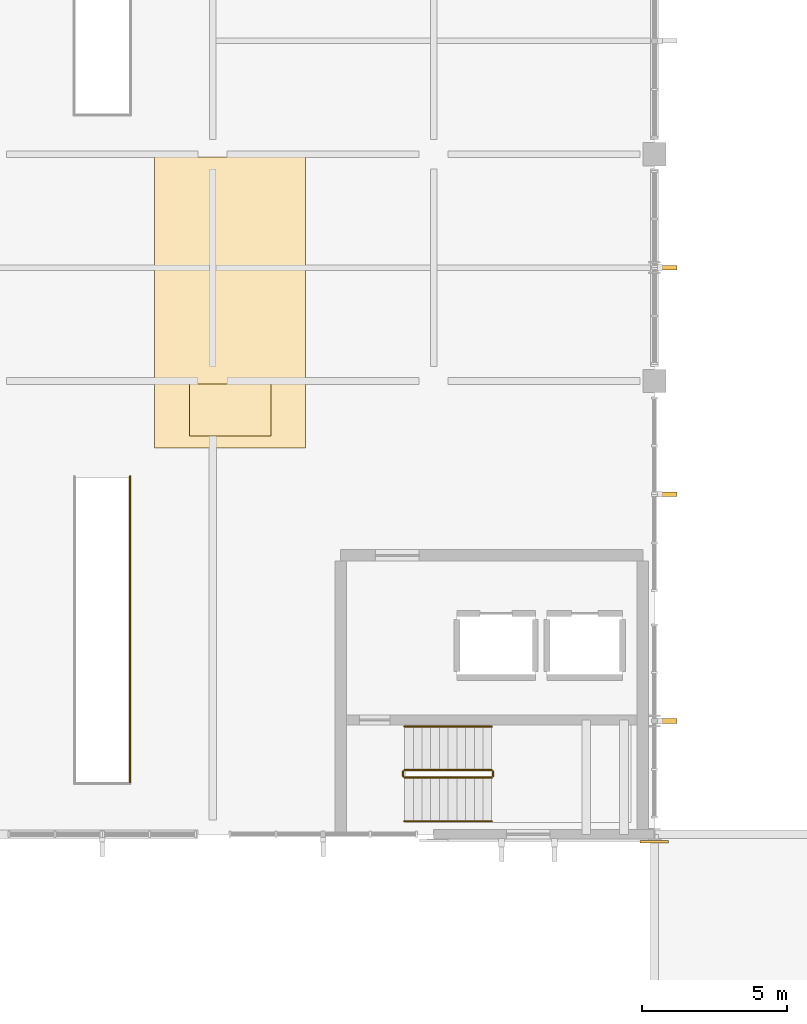
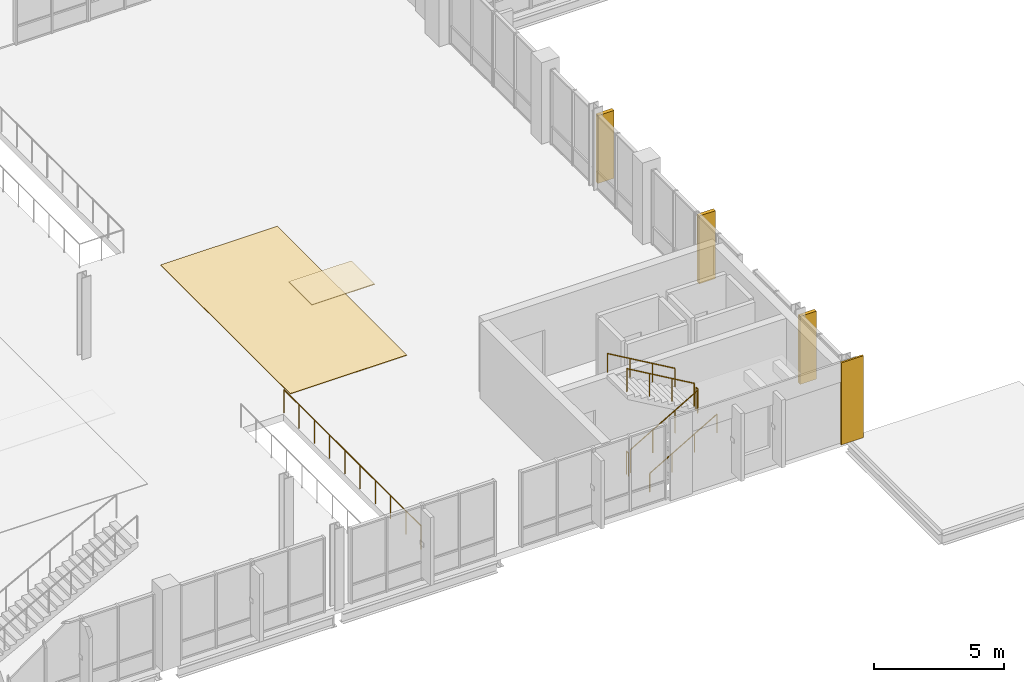
# One storey, part 84 of 85: 7 railings, 3 coverings, 3 shading devices.
"""IFC4 building model written with IfcOpenShell, lengths in metres."""

from ifc_helpers import new_model, si_unit, direction, frame, origin, origin_2d, place, context, subcontext, project, spatial, polyline, rectangle, circle, outline, extrude, material, layer, layer_set, type_object, element, save


model = new_model("IFC4")

# Units and contexts
model_context = context("Model", 3, precision=1e-05, world=origin(), true_north=direction((0.0, 1.0)))
body_context = subcontext(model_context, "Body", "Model", "MODEL_VIEW")
ifc_project = project(units=[si_unit("LENGTHUNIT", "METRE"), si_unit("AREAUNIT", "SQUARE_METRE"), si_unit("VOLUMEUNIT", "CUBIC_METRE"), si_unit("PLANEANGLEUNIT", "RADIAN"), si_unit("MASSUNIT", "GRAM", prefix="KILO")], contexts=[model_context])

# Site, building, storey
site_placement = place(None, origin())
site = spatial("IfcSite", under=ifc_project, at=site_placement, CompositionType="ELEMENT")
building_placement = place(site_placement, origin())
building = spatial("IfcBuilding", under=site, at=building_placement, Name="Vervanel Yard Central Library", CompositionType="ELEMENT")
storey_placement = place(building_placement, frame((0.0, 0.0, 5.10009765625)))
storey = spatial("IfcBuildingStorey", under=building, at=storey_placement, Name="L01", CompositionType="ELEMENT", Elevation=5.10009765625)

# Railings
ifc_material_1 = material(Name="Brushed stainless steel AISI 316", Category="steel")
railing_type_1 = type_object("IfcRailingType", Name="Brushed Stainless Stair Handrail 900", PredefinedType="HANDRAIL", material=ifc_material_1)
railing_1_placement = place(storey_placement, frame((137.39990234375, 43.64990234375, 0.174560546875)))
element("IfcRailing", 1, at=railing_1_placement, inside=storey, type_object=railing_type_1, Name="L01 ST-05 stair handrail 1", PredefinedType="HANDRAIL", context=body_context, shape_type="SweptSolid", body=[
    extrude(circle(Radius=0.02392578125, at=origin_2d()), frame((0.0, 0.0, 0.8759765625), z_axis=(0.864360011887, 0.0, 0.502873512775), x_axis=(0.0, 1.0, 0.0)), (0.0, 0.0, 1.0), 3.470703125),
    extrude(circle(Radius=0.02099609375, at=origin_2d()), origin(), (0.0, 0.0, 1.0), 0.851806640625),
    extrude(circle(Radius=0.02099609375, at=origin_2d()), frame((1.0, 0.0, 0.581787109375)), (0.0, 0.0, 1.0), 0.851806640625),
    extrude(circle(Radius=0.02099609375, at=origin_2d()), frame((2.0, 0.0, 1.16357421875)), (0.0, 0.0, 1.0), 0.851806640625),
    extrude(circle(Radius=0.02099609375, at=origin_2d()), frame((3.0, 0.0, 1.745361328125)), (0.0, 0.0, 1.0), 0.851806640625),
])
railing_2_placement = place(storey_placement, frame((140.39990234375, 46.909912109375, 2.094482421875)))
element("IfcRailing", 2, at=railing_2_placement, inside=storey, type_object=railing_type_1, Name="L01 ST-05 stair handrail 2", PredefinedType="HANDRAIL", context=body_context, shape_type="SweptSolid", body=[
    extrude(circle(Radius=0.02392578125, at=origin_2d()), frame((0.0, 0.0, 0.8759765625), z_axis=(-0.864360011887, 0.0, 0.502873512775), x_axis=(0.0, -1.0, 0.0)), (0.0, 0.0, 1.0), 3.470703125),
    extrude(circle(Radius=0.02099609375, at=origin_2d()), origin(), (0.0, 0.0, 1.0), 0.851806640625),
    extrude(circle(Radius=0.02099609375, at=origin_2d()), frame((-1.0, 0.0, 0.581787109375)), (0.0, 0.0, 1.0), 0.851806640625),
    extrude(circle(Radius=0.02099609375, at=origin_2d()), frame((-2.0, 0.0, 1.16357421875)), (0.0, 0.0, 1.0), 0.851806640625),
    extrude(circle(Radius=0.02099609375, at=origin_2d()), frame((-3.0, 0.0, 1.745361328125)), (0.0, 0.0, 1.0), 0.851806640625),
])

# Covering
ifc_material_2 = material(Name="Precast concrete C45/55", Category="concrete")
ifc_layer_1 = layer(ifc_material_2, 0.0849609375, Category="concrete")
ifc_layer_set_1 = layer_set([ifc_layer_1], Name="Precast concrete C45/55")
covering_type_1 = type_object("IfcCoveringType", Name="Bush-Hammered Precast Architectural Cladding Panel", PredefinedType="CLADDING", material=ifc_layer_set_1)
covering_1_placement = place(storey_placement, frame((146.0, 42.94921875, 0.0), z_axis=(0.0, 0.0, 1.0), x_axis=(1.0, 0.0, 0.0)))
element("IfcCovering", 3, at=covering_1_placement, inside=storey, type_object=covering_type_1, Name="L01 Precast Concrete Pier Pilaster EWALL-L01-0163-B", PredefinedType="CLADDING", context=body_context, shape_type="SweptSolid", body=[
    extrude(rectangle(XDim=0.97998046875, YDim=0.0849609375, at=origin_2d()), origin(), (0.0, 0.0, 1.0), 3.860107421875),
])

# Railings
railing_type_2 = type_object("IfcRailingType", Name="Glazed Atrium & Gallery Balustrade 1120", PredefinedType="BALUSTRADE", material=ifc_material_1)
railing_3_placement = place(storey_placement, frame((127.9599609375, 44.93994140625, 0.0)))
element("IfcRailing", 4, at=railing_3_placement, inside=storey, type_object=railing_type_2, Name="L01 Void Guard FST-01-L00-WELLGD E", PredefinedType="BALUSTRADE", context=body_context, shape_type="SweptSolid", body=[
    extrude(circle(Radius=0.02392578125, at=origin_2d()), frame((0.0, 0.0, 1.09619140625), z_axis=(0.0, 1.0, 0.0), x_axis=(-1.0, 0.0, 0.0)), (0.0, 0.0, 1.0), 10.5849609375),
    extrude(circle(Radius=0.02099609375, at=origin_2d()), origin(), (0.0, 0.0, 1.0), 1.072021484375),
    extrude(circle(Radius=0.02099609375, at=origin_2d()), frame((0.0, 1.176025390625, 0.0)), (0.0, 0.0, 1.0), 1.072021484375),
    extrude(circle(Radius=0.02099609375, at=origin_2d()), frame((0.0, 2.352294921875, 0.0)), (0.0, 0.0, 1.0), 1.072021484375),
    extrude(circle(Radius=0.02099609375, at=origin_2d()), frame((0.0, 3.5283203125, 0.0)), (0.0, 0.0, 1.0), 1.072021484375),
    extrude(circle(Radius=0.02099609375, at=origin_2d()), frame((0.0, 4.704345703125, 0.0)), (0.0, 0.0, 1.0), 1.072021484375),
    extrude(circle(Radius=0.02099609375, at=origin_2d()), frame((0.0, 5.880615234375, 0.0)), (0.0, 0.0, 1.0), 1.072021484375),
    extrude(circle(Radius=0.02099609375, at=origin_2d()), frame((0.0, 7.056640625, 0.0)), (0.0, 0.0, 1.0), 1.072021484375),
    extrude(circle(Radius=0.02099609375, at=origin_2d()), frame((0.0, 8.232666015625, 0.0)), (0.0, 0.0, 1.0), 1.072021484375),
    extrude(circle(Radius=0.02099609375, at=origin_2d()), frame((0.0, 9.408935546875, 0.0)), (0.0, 0.0, 1.0), 1.072021484375),
    extrude(circle(Radius=0.02099609375, at=origin_2d()), frame((0.0, 10.5849609375, 0.0)), (0.0, 0.0, 1.0), 1.072021484375),
])
ifc_material_3 = material(Name="Galvanized painted steelwork ASTM A500 Grade C", Category="steel")
railing_type_3 = type_object("IfcRailingType", Name="Painted Steel Guardrail 1100", PredefinedType="GUARDRAIL", material=ifc_material_3)
railing_4_placement = place(storey_placement, frame((137.39990234375, 45.14990234375, 0.174560546875)))
element("IfcRailing", 5, at=railing_4_placement, inside=storey, type_object=railing_type_3, Name="L01 ST-05 stair guard 1", PredefinedType="GUARDRAIL", context=body_context, shape_type="SweptSolid", body=[
    extrude(circle(Radius=0.02392578125, at=origin_2d()), frame((0.0, 0.0, 1.076171875), z_axis=(0.864360011887, 0.0, 0.502873512775), x_axis=(0.0, 1.0, 0.0)), (0.0, 0.0, 1.0), 3.470703125),
    extrude(circle(Radius=0.02099609375, at=origin_2d()), origin(), (0.0, 0.0, 1.0), 1.052001953125),
    extrude(circle(Radius=0.02099609375, at=origin_2d()), frame((1.0, 0.0, 0.581787109375)), (0.0, 0.0, 1.0), 1.052001953125),
    extrude(circle(Radius=0.02099609375, at=origin_2d()), frame((2.0, 0.0, 1.16357421875)), (0.0, 0.0, 1.0), 1.052001953125),
    extrude(circle(Radius=0.02099609375, at=origin_2d()), frame((3.0, 0.0, 1.745361328125)), (0.0, 0.0, 1.0), 1.052001953125),
])
railing_5_placement = place(storey_placement, frame((140.449951171875, 45.199951171875, 1.919921875)))
element("IfcRailing", 6, at=railing_5_placement, inside=storey, type_object=railing_type_3, Name="L01 ST-05 stair guard 2", PredefinedType="GUARDRAIL", context=body_context, shape_type="SweptSolid", body=[
    extrude(circle(Radius=0.02392578125, at=origin_2d()), frame((0.0, 0.0, 1.076171875), z_axis=(0.0, 1.0, 0.0), x_axis=(-1.0, 0.0, 0.0)), (0.0, 0.0, 1.0), 0.16015625),
    extrude(circle(Radius=0.02099609375, at=origin_2d()), origin(), (0.0, 0.0, 1.0), 1.052001953125),
    extrude(circle(Radius=0.02099609375, at=origin_2d()), frame((0.0, 0.16015625, 0.0)), (0.0, 0.0, 1.0), 1.052001953125),
])
railing_6_placement = place(storey_placement, frame((140.39990234375, 45.409912109375, 2.094482421875)))
element("IfcRailing", 7, at=railing_6_placement, inside=storey, type_object=railing_type_3, Name="L01 ST-05 stair guard 3", PredefinedType="GUARDRAIL", context=body_context, shape_type="SweptSolid", body=[
    extrude(circle(Radius=0.02392578125, at=origin_2d()), frame((0.0, 0.0, 1.076171875), z_axis=(-0.864360011887, 0.0, 0.502873512775), x_axis=(0.0, -1.0, 0.0)), (0.0, 0.0, 1.0), 3.470703125),
    extrude(circle(Radius=0.02099609375, at=origin_2d()), origin(), (0.0, 0.0, 1.0), 1.052001953125),
    extrude(circle(Radius=0.02099609375, at=origin_2d()), frame((-1.0, 0.0, 0.581787109375)), (0.0, 0.0, 1.0), 1.052001953125),
    extrude(circle(Radius=0.02099609375, at=origin_2d()), frame((-2.0, 0.0, 1.16357421875)), (0.0, 0.0, 1.0), 1.052001953125),
    extrude(circle(Radius=0.02099609375, at=origin_2d()), frame((-3.0, 0.0, 1.745361328125)), (0.0, 0.0, 1.0), 1.052001953125),
])
railing_7_placement = place(storey_placement, frame((137.35009765625, 45.199951171875, 0.0)))
element("IfcRailing", 8, at=railing_7_placement, inside=storey, type_object=railing_type_3, Name="L01 ST-05 stair guard 4", PredefinedType="GUARDRAIL", context=body_context, shape_type="SweptSolid", body=[
    extrude(circle(Radius=0.02392578125, at=origin_2d()), frame((0.0, 0.0, 1.076171875), z_axis=(0.0, 1.0, 0.0), x_axis=(-1.0, 0.0, 0.0)), (0.0, 0.0, 1.0), 0.16015625),
    extrude(circle(Radius=0.02099609375, at=origin_2d()), origin(), (0.0, 0.0, 1.0), 1.052001953125),
    extrude(circle(Radius=0.02099609375, at=origin_2d()), frame((0.0, 0.16015625, 0.0)), (0.0, 0.0, 1.0), 1.052001953125),
])

# Coverings
ifc_material_4 = material(Name="Polished river-stone terrazzo flooring", Category="masonry")
ifc_layer_2 = layer(ifc_material_4, 0.02490234375, Category="masonry")
ifc_layer_set_2 = layer_set([ifc_layer_2], Name="Polished river-stone terrazzo flooring")
covering_type_2 = type_object("IfcCoveringType", Name="Polished River-Stone Terrazzo Flooring 25", PredefinedType="FLOORING", material=ifc_layer_set_2)
covering_2_placement = place(storey_placement, origin())
element("IfcCovering", 9, at=covering_2_placement, inside=storey, type_object=covering_type_2, Name="L01 Terrazzo Flooring Bay 9", PredefinedType="FLOORING", context=body_context, shape_type="SweptSolid", body=[
    extrude(outline(polyline([(128.800048828125, 56.5), (134.0, 56.5), (134.0, 66.5), (128.800048828125, 66.5), (128.800048828125, 56.5)])), origin(), (0.0, 0.0, 1.0), 0.02490234375),
])
ifc_material_5 = material(Name="Perforated mineral-fibre acoustic ceiling", Category="gypsum")
ifc_layer_3 = layer(ifc_material_5, 0.034912109375, Category="gypsum")
ifc_layer_set_3 = layer_set([ifc_layer_3], Name="Perforated mineral-fibre acoustic ceiling")
covering_type_3 = type_object("IfcCoveringType", Name="Suspended Mineral Acoustic Ceiling 35", PredefinedType="CEILING", material=ifc_layer_set_3)
covering_3_placement = place(storey_placement, frame((0.0, 0.0, 3.514892578125)))
element("IfcCovering", 10, at=covering_3_placement, inside=storey, type_object=covering_type_3, Name="L01 Acoustic Ceiling Bay 9", PredefinedType="CEILING", context=body_context, shape_type="SweptSolid", body=[
    extrude(outline(polyline([(130.0, 56.89990234375), (132.800048828125, 56.89990234375), (132.800048828125, 58.699951171875), (130.0, 58.699951171875), (130.0, 56.89990234375)])), origin(), (0.0, 0.0, 1.0), 0.034912109375),
])

# Shading devices
shading_device_type = type_object("IfcShadingDeviceType", Name="Vertical Precast Solar Fin 160x720x3200", PredefinedType="JALOUSIE", material=ifc_material_2)
for number, where, z_axis, x_axis, name in (
    (11, (146.409912109375, 47.10009765625, 0.1650390625), (0.0, 0.0, 1.0), (0.0, 1.0, 0.0), "L01 Precast Solar Fin 487"),
    (12, (146.409912109375, 54.89990234375, 0.1650390625), (0.0, 0.0, 1.0), (0.0, 1.0, 0.0), "L01 Precast Solar Fin 488"),
    (13, (146.409912109375, 62.699951171875, 0.1650390625), (0.0, 0.0, 1.0), (0.0, 1.0, 0.0), "L01 Precast Solar Fin 489"),
):
    element("IfcShadingDevice", number, at=place(storey_placement, frame(where, z_axis=z_axis, x_axis=x_axis)), inside=storey, type_object=shading_device_type, Name=name, PredefinedType="JALOUSIE", context=body_context, shape_type="SweptSolid", body=[
        extrude(rectangle(XDim=0.159912109375, YDim=0.719970703125, at=origin_2d()), origin(), (0.0, 0.0, 1.0), 3.199951171875),
    ])

save(model, "model.ifc")
